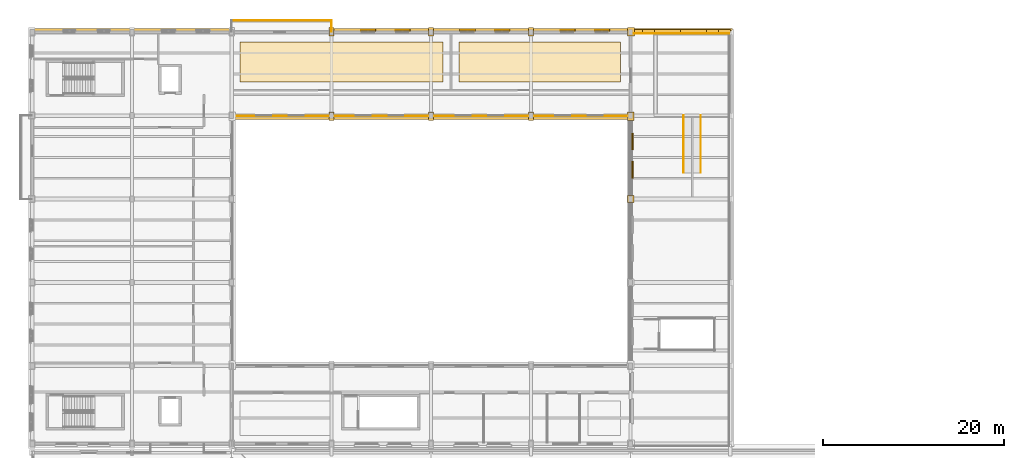
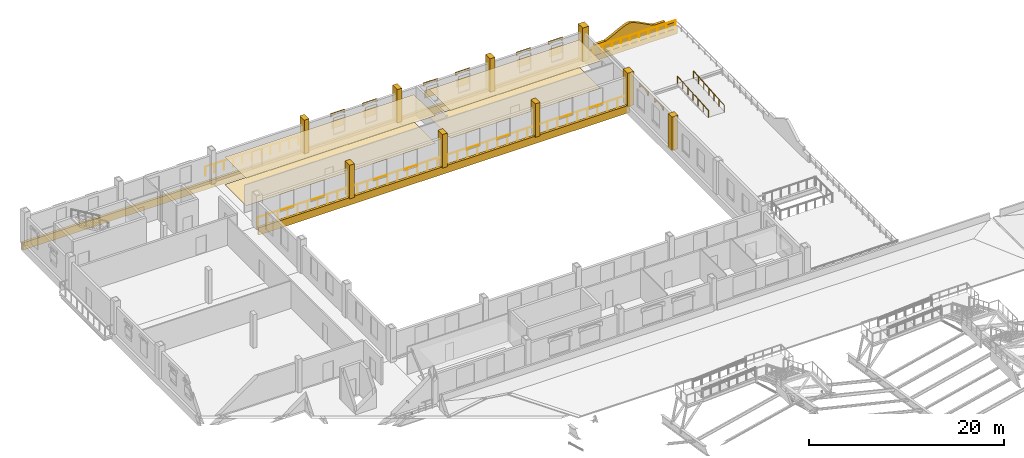
# One storey, part 42 of 43: 24 coverings, 6 railings, 6 shading devices.
"""IFC4 building model written with IfcOpenShell, lengths in metres."""

import ifcopenshell
import ifcopenshell.guid

model = None  # the IFC model being written
_history = None  # IfcOwnerHistory: only IFC2X3 demands one
_inside = {}  # id of a spatial element -> (the spatial element, [elements in it])
_under = {}  # id of a project, library or spatial element -> (it, [spatial elements below it])
_declared = {}  # id of a project -> (the project, [libraries it declares])
_typed = {}  # id of a type object -> (the type object, [elements of that type])
_made_of = {}  # id of a material, layer set ... -> (it, [elements and type objects made of it])


def new_model(schema):
    """Start an empty IFC model of exactly this schema.

    Asked for "IFC4X3", IfcOpenShell would pick the latest addendum, in which some entities
    have other attributes; the version numbers below select the first issue.
    IFC2X3 requires an IfcOwnerHistory on every rooted entity: one is made here for all.
    """
    global model, _history
    if schema == "IFC4X3":
        model = ifcopenshell.file(schema_version=(4, 3, 0, 0))
    else:
        model = ifcopenshell.file(schema=schema)
    _inside.clear()
    _under.clear()
    _declared.clear()
    _typed.clear()
    _made_of.clear()
    _history = None
    if model.schema == "IFC2X3":
        org = make("IfcOrganization", Name="unknown")
        user = make(
            "IfcPersonAndOrganization",
            ThePerson=make("IfcPerson", FamilyName="unknown"),
            TheOrganization=org,
        )
        app = make(
            "IfcApplication",
            ApplicationDeveloper=org,
            Version="unknown",
            ApplicationFullName="unknown",
            ApplicationIdentifier="unknown",
        )
        _history = make(
            "IfcOwnerHistory",
            OwningUser=user,
            OwningApplication=app,
            ChangeAction="ADDED",
            CreationDate=0,
        )
    return model


def make(cls, **values):
    """One entity of the class cls with the attributes given. An attribute that is None is left unset."""
    return model.create_entity(
        cls, **{name: value for name, value in values.items() if value is not None}
    )


def rooted(cls, **values):
    """An entity with a GlobalId (a new one), such as an element, a storey or a relation."""
    return make(cls, GlobalId=ifcopenshell.guid.new(), OwnerHistory=_history, **values)


def si_unit(unit_type, name, prefix=None):
    """IfcSIUnit, for example si_unit("LENGTHUNIT", "METRE", prefix="MILLI")."""
    return make("IfcSIUnit", UnitType=unit_type, Prefix=prefix, Name=name)


def assignment(units):
    """IfcUnitAssignment: the units of a project."""
    return None if units is None else make("IfcUnitAssignment", Units=units)


def point(xyz):
    """IfcCartesianPoint."""
    return None if xyz is None else make("IfcCartesianPoint", Coordinates=xyz)


def direction(xyz):
    """IfcDirection."""
    return None if xyz is None else make("IfcDirection", DirectionRatios=xyz)


def frame(location, z_axis=None, x_axis=None):
    """IfcAxis2Placement3D, a coordinate frame: its origin and axes. An axis left out is left unset."""
    return make(
        "IfcAxis2Placement3D",
        Location=point(location),
        Axis=direction(z_axis),
        RefDirection=direction(x_axis),
    )


def frame_2d(location, x_axis=None):
    """IfcAxis2Placement2D, a coordinate frame in the plane: its origin and x axis."""
    return make(
        "IfcAxis2Placement2D", Location=point(location), RefDirection=direction(x_axis)
    )


def origin():
    """The frame at (0, 0, 0) with its axes left unset."""
    return frame((0.0, 0.0, 0.0))


def origin_2d():
    """The frame at (0, 0) in the plane with its x axis left unset."""
    return frame_2d((0.0, 0.0))


def place(relative_to, where):
    """IfcLocalPlacement: puts the frame where relative to a parent placement (None: the world)."""
    return make(
        "IfcLocalPlacement", PlacementRelTo=relative_to, RelativePlacement=where
    )


def context(
    kind, dimensions, precision=None, world=None, true_north=None, identifier=None
):
    """IfcGeometricRepresentationContext, for example the 3D "Model" context."""
    return make(
        "IfcGeometricRepresentationContext",
        ContextIdentifier=identifier,
        ContextType=kind,
        CoordinateSpaceDimension=dimensions,
        Precision=precision,
        WorldCoordinateSystem=world,
        TrueNorth=true_north,
    )


def subcontext(parent, identifier, kind, view, scale=None):
    """IfcGeometricRepresentationSubContext, for example "Body" below "Model"."""
    return make(
        "IfcGeometricRepresentationSubContext",
        ContextIdentifier=identifier,
        ContextType=kind,
        ParentContext=parent,
        TargetScale=scale,
        TargetView=view,
    )


def project(units=None, contexts=None):
    """IfcProject with its units and contexts."""
    return rooted(
        "IfcProject",
        Name="project",
        RepresentationContexts=contexts,
        UnitsInContext=assignment(units),
    )


def spatial(cls, under=None, at=None, **own):
    """A site, building, storey or space (cls), placed at a placement, below another one or the project."""
    s = rooted(cls, ObjectPlacement=at, **own)
    if under is not None:
        _under.setdefault(under.id(), (under, []))[1].append(s)
    return s


def polyline(points):
    """IfcPolyline through the points."""
    return make("IfcPolyline", Points=[point(p) for p in points])


def profile(cls, at=None, kind="AREA", **sizes):
    """A parametric profile (cls). Its sizes go by their IFC names, for example OverallWidth=200.0."""
    return make(cls, ProfileType=kind, Position=at, **sizes)


def rectangle(**sizes):
    """IfcRectangleProfileDef."""
    return profile("IfcRectangleProfileDef", **sizes)


def circle(**sizes):
    """IfcCircleProfileDef."""
    return profile("IfcCircleProfileDef", **sizes)


def outline(outer, holes=None, kind="AREA"):
    """IfcArbitraryClosedProfileDef: a profile drawn as a closed curve; with holes, ...WithVoids."""
    if holes is None:
        return make("IfcArbitraryClosedProfileDef", ProfileType=kind, OuterCurve=outer)
    return make(
        "IfcArbitraryProfileDefWithVoids",
        ProfileType=kind,
        OuterCurve=outer,
        InnerCurves=holes,
    )


def extrude(swept, where, along, depth):
    """IfcExtrudedAreaSolid: the profile swept, set in the frame where, extruded along a direction by depth."""
    return make(
        "IfcExtrudedAreaSolid",
        SweptArea=swept,
        Position=where,
        ExtrudedDirection=direction(along),
        Depth=depth,
    )


def shape(context_of_items, identifier, shape_type, items):
    """IfcShapeRepresentation: the items that make up one representation, for example the "Body"."""
    return make(
        "IfcShapeRepresentation",
        ContextOfItems=context_of_items,
        RepresentationIdentifier=identifier,
        RepresentationType=shape_type,
        Items=items,
    )


def material(Name=None, Category=None):
    """IfcMaterial."""
    return make("IfcMaterial", Name=Name, Category=Category)


def layer(
    of_material, thickness, ventilated=None, Name=None, Category=None, Priority=None
):
    """IfcMaterialLayer: one layer of a wall or slab, of a material (None: an air gap)."""
    return make(
        "IfcMaterialLayer",
        Material=of_material,
        LayerThickness=thickness,
        IsVentilated=ventilated,
        Name=Name,
        Category=Category,
        Priority=Priority,
    )


def layer_set(layers, Name=None):
    """IfcMaterialLayerSet."""
    return make("IfcMaterialLayerSet", MaterialLayers=layers, LayerSetName=Name)


def made_of(thing, what):
    """Note that an element or type object is made of a material, layer set ...; save() writes the relation."""
    if what is not None:
        _made_of.setdefault(what.id(), (what, []))[1].append(thing)
    return thing


def type_object(cls, material=None, **own):
    """A type object (cls), such as IfcWallType, which elements share."""
    return made_of(rooted(cls, **own), material)


def element(
    cls,
    number,
    at=None,
    inside=None,
    cuts=None,
    type_object=None,
    material=None,
    context=None,
    identifier="Body",
    shape_type=None,
    held_by="IfcProductDefinitionShape",
    body=None,
    shapes=None,
    **own,
):
    """One element of the class cls, such as IfcWall. Its Tag is "e" and its number.

    at: its placement. inside: the storey or other place that contains it. cuts: it is an
    opening in that element (IfcRelVoidsElement). A single representation is given by context,
    identifier, shape_type and body (its items); several are given by shapes. held_by: the class
    of the entity that holds the representations. save() writes the other relations.
    """
    e = rooted(cls, Tag="e%d" % number, ObjectPlacement=at, **own)
    if body is not None:
        shapes = [shape(context, identifier, shape_type, body)]
    if shapes is not None:
        e.Representation = make(held_by, Representations=shapes)
    if inside is not None:
        _inside.setdefault(inside.id(), (inside, []))[1].append(e)
    if cuts is not None:
        rooted(
            "IfcRelVoidsElement", RelatingBuildingElement=cuts, RelatedOpeningElement=e
        )
    if type_object is not None:
        _typed.setdefault(type_object.id(), (type_object, []))[1].append(e)
    return made_of(e, material)


def aggregate(whole, parts):
    """IfcRelAggregates: a whole, such as a stair, and the parts it consists of."""
    return rooted("IfcRelAggregates", RelatingObject=whole, RelatedObjects=parts)


def save(model, path):
    """Write the relations noted so far, then the file.

    IfcRelAggregates (storeys below a building ...), IfcRelContainedInSpatialStructure (elements
    in a storey), IfcRelDefinesByType, IfcRelAssociatesMaterial and IfcRelDeclares: one each for
    every whole, place, type object, material and project.
    """
    for whole, parts in _under.values():
        aggregate(whole, parts)
    for where, things in _inside.values():
        rooted(
            "IfcRelContainedInSpatialStructure",
            RelatedElements=things,
            RelatingStructure=where,
        )
    for kind, things in _typed.values():
        rooted("IfcRelDefinesByType", RelatedObjects=things, RelatingType=kind)
    for what, things in _made_of.values():
        rooted("IfcRelAssociatesMaterial", RelatedObjects=things, RelatingMaterial=what)
    for by, libraries in _declared.values():
        rooted("IfcRelDeclares", RelatingContext=by, RelatedDefinitions=libraries)
    model.write(path)


model = new_model("IFC4")

# Units and contexts
model_context = context("Model", 3, precision=1e-05, world=origin(), true_north=direction((0.0, 1.0)))
body_context = subcontext(model_context, "Body", "Model", "MODEL_VIEW")
ifc_project = project(units=[si_unit("LENGTHUNIT", "METRE"), si_unit("AREAUNIT", "SQUARE_METRE"), si_unit("VOLUMEUNIT", "CUBIC_METRE"), si_unit("PLANEANGLEUNIT", "RADIAN"), si_unit("MASSUNIT", "GRAM", prefix="KILO")], contexts=[model_context])

# Site, building, storey
site_placement = place(None, origin())
site = spatial("IfcSite", under=ifc_project, at=site_placement, CompositionType="ELEMENT")
building_placement = place(site_placement, origin())
building = spatial("IfcBuilding", under=site, at=building_placement, Name="Caurita Quay Ferry Terminal", CompositionType="ELEMENT")
storey_placement = place(building_placement, frame((0.0, 0.0, 14.10009765625)))
storey = spatial("IfcBuildingStorey", under=building, at=storey_placement, Name="L03", CompositionType="ELEMENT", Elevation=14.10009765625)

# Coverings
ifc_material_1 = material(Name="Acoustic mineral fibre tile", Category="finish")
ifc_layer_1 = layer(ifc_material_1, 0.02001953125, Name="Acoustic mineral-fibre suspended ceiling 20 mm")
ifc_layer_set_1 = layer_set([ifc_layer_1], Name="Acoustic mineral fibre tile")
covering_type_1 = type_object("IfcCoveringType", Name="COV-CEIL-020", PredefinedType="CEILING", material=ifc_layer_set_1)
covering_1_placement = place(storey_placement, frame((0.0, 0.0, 3.43603515625)))
element("IfcCovering", 1, at=covering_1_placement, inside=storey, type_object=covering_type_1, Name="Ferry Crew Duty Rest Lounge Acoustic Ceiling", PredefinedType="CEILING", context=body_context, shape_type="SweptSolid", body=[
    extrude(outline(polyline([(22.89990234375, 111.5), (45.300048828125, 111.5), (45.300048828125, 115.89990234375), (22.89990234375, 115.89990234375), (22.89990234375, 111.5)])), origin(), (0.0, 0.0, 1.0), 0.02001953125),
])
covering_2_placement = place(storey_placement, frame((0.0, 0.0, 3.43603515625)))
element("IfcCovering", 2, at=covering_2_placement, inside=storey, type_object=covering_type_1, Name="Marine Radar and VHF Telemetry Room Acoustic Ceiling", PredefinedType="CEILING", context=body_context, shape_type="SweptSolid", body=[
    extrude(outline(polyline([(47.10009765625, 111.5), (64.89990234375, 111.5), (64.89990234375, 115.89990234375), (47.10009765625, 115.89990234375), (47.10009765625, 111.5)])), origin(), (0.0, 0.0, 1.0), 0.02001953125),
])
ifc_material_2 = material(Name="Coral stone ashlar cladding", Category="masonry")
ifc_layer_2 = layer(ifc_material_2, 0.239990234375, Name="Classical coral-stone entablature and cornice moulding 240 mm")
ifc_layer_set_2 = layer_set([ifc_layer_2], Name="Coral stone ashlar cladding")
covering_type_2 = type_object("IfcCoveringType", Name="COV-ENT-MLD", PredefinedType="MOLDING", material=ifc_layer_set_2)
covering_3_placement = place(storey_placement, frame((77.25, 117.280029296875, -0.85009765625), z_axis=(0.0, 0.0, 1.0), x_axis=(-1.0, 0.0, 0.0)))
element("IfcCovering", 3, at=covering_3_placement, inside=storey, type_object=covering_type_2, Name="L03 Classical Entablature Cornice 003", PredefinedType="MOLDING", context=body_context, shape_type="SweptSolid", body=[
    extrude(rectangle(XDim=77.530029296875, YDim=0.280029296875, at=frame_2d((38.76513671875, 0.0))), origin(), (0.0, 0.0, 1.0), 0.929931640625),
])
covering_4_placement = place(storey_placement, frame((66.0, 107.52001953125, -0.85009765625), z_axis=(0.0, 0.0, 1.0), x_axis=(-1.0, 0.0, 0.0)))
element("IfcCovering", 4, at=covering_4_placement, inside=storey, type_object=covering_type_2, Name="L03 Classical Entablature Cornice 028", PredefinedType="MOLDING", context=body_context, shape_type="SweptSolid", body=[
    extrude(rectangle(XDim=44.0, YDim=0.280029296875, at=frame_2d((22.0, 0.0))), origin(), (0.0, 0.0, 1.0), 0.929931640625),
])
ifc_material_3 = material(Name="Warm-white lime stucco masonry", Category="masonry")
ifc_layer_3 = layer(ifc_material_3, 0.280029296875, Name="Shaped Spanish Colonial espadana mission parapet gable 280 mm")
ifc_layer_set_3 = layer_set([ifc_layer_3], Name="Warm-white lime stucco masonry")
covering_type_3 = type_object("IfcCoveringType", Name="COV-ESP-MLD", PredefinedType="MOLDING", material=ifc_layer_set_3)
covering_5_placement = place(storey_placement, frame((77.0, 117.14990234375, -0.050048828125), z_axis=(0.0, 0.0, 1.0), x_axis=(-1.0, 0.0, 0.0)))
element("IfcCovering", 5, at=covering_5_placement, inside=storey, type_object=covering_type_3, Name="North Street East Espadana Mission Gable 073", PredefinedType="MOLDING", context=body_context, shape_type="SweptSolid", body=[
    extrude(outline(polyline([(0.0, 0.0), (11.0, 0.0), (11.0, 0.849853515625), (9.679931640625, 0.849853515625), (9.679931640625, 1.329833984375), (8.360107421875, 1.329833984375), (7.47998046875, 1.769775390625), (6.60009765625, 2.229736328125), (5.93994140625, 2.52978515625), (5.5, 2.6298828125), (5.06005859375, 2.52978515625), (4.39990234375, 2.229736328125), (3.52001953125, 1.769775390625), (2.639892578125, 1.329833984375), (1.320068359375, 1.329833984375), (1.320068359375, 0.849853515625), (0.0, 0.849853515625), (0.0, 0.0)])), frame((0.0, 0.16015625, 0.0), z_axis=(0.0, -1.0, 0.0), x_axis=(1.0, 0.0, 0.0)), (0.0, 0.0, 1.0), 0.320068359375),
])
ifc_material_4 = material(Name="Polished marine terrazzo tile", Category="finish")
ifc_layer_4 = layer(ifc_material_4, 0.02490234375, Name="Polished marine terrazzo floor finish 25 mm")
ifc_layer_set_4 = layer_set([ifc_layer_4], Name="Polished marine terrazzo tile")
covering_type_4 = type_object("IfcCoveringType", Name="COV-FLR-025", PredefinedType="FLOORING", material=ifc_layer_set_4)
covering_6_placement = place(storey_placement, origin())
element("IfcCovering", 6, at=covering_6_placement, inside=storey, type_object=covering_type_4, Name="Ferry Crew Duty Rest Lounge Terrazzo Flooring", PredefinedType="FLOORING", context=body_context, shape_type="SweptSolid", body=[
    extrude(outline(polyline([(22.89990234375, 111.5), (45.300048828125, 111.5), (45.300048828125, 115.89990234375), (22.89990234375, 115.89990234375), (22.89990234375, 111.5)])), origin(), (0.0, 0.0, 1.0), 0.02490234375),
])
covering_7_placement = place(storey_placement, origin())
element("IfcCovering", 7, at=covering_7_placement, inside=storey, type_object=covering_type_4, Name="Marine Radar and VHF Telemetry Room Terrazzo Flooring", PredefinedType="FLOORING", context=body_context, shape_type="SweptSolid", body=[
    extrude(outline(polyline([(47.10009765625, 111.5), (64.89990234375, 111.5), (64.89990234375, 115.89990234375), (47.10009765625, 115.89990234375), (47.10009765625, 111.5)])), origin(), (0.0, 0.0, 1.0), 0.02490234375),
])
ifc_layer_5 = layer(ifc_material_3, 0.179931640625, Name="Classical engaged lime-stucco facade pilaster cladding 180 mm")
ifc_layer_set_5 = layer_set([ifc_layer_5], Name="Warm-white lime stucco masonry")
covering_type_5 = type_object("IfcCoveringType", Name="COV-PIL-CLD", PredefinedType="CLADDING", material=ifc_layer_set_5)
for number, where, z_axis, x_axis, name in (
    (8, (33.0, 107.75, 0.0), (0.0, 0.0, 1.0), (1.0, 0.0, 0.0), "L03 Classical Engaged Pilaster 0337"),
    (9, (33.0, 117.050048828125, 0.0), (0.0, 0.0, 1.0), (1.0, 0.0, 0.0), "L03 Classical Engaged Pilaster 0341"),
    (10, (44.0, 107.75, 0.0), (0.0, 0.0, 1.0), (1.0, 0.0, 0.0), "L03 Classical Engaged Pilaster 0351"),
    (11, (44.0, 117.050048828125, 0.0), (0.0, 0.0, 1.0), (1.0, 0.0, 0.0), "L03 Classical Engaged Pilaster 0355"),
    (12, (55.0, 107.75, 0.0), (0.0, 0.0, 1.0), (1.0, 0.0, 0.0), "L03 Classical Engaged Pilaster 0363"),
    (13, (55.0, 117.050048828125, 0.0), (0.0, 0.0, 1.0), (1.0, 0.0, 0.0), "L03 Classical Engaged Pilaster 0367"),
):
    element("IfcCovering", number, at=place(storey_placement, frame(where, z_axis=z_axis, x_axis=x_axis)), inside=storey, type_object=covering_type_5, Name=name, PredefinedType="CLADDING", context=body_context, shape_type="SweptSolid", body=[
        extrude(rectangle(XDim=0.570068359375, YDim=0.929931640625, at=origin_2d()), origin(), (0.0, 0.0, 1.0), 4.199951171875),
    ])
covering_8_placement = place(storey_placement, frame((66.0, 98.60009765625, 0.0), z_axis=(0.0, 0.0, 1.0), x_axis=(1.0, 0.0, 0.0)))
element("IfcCovering", 14, at=covering_8_placement, inside=storey, type_object=covering_type_5, Name="L03 Classical Engaged Pilaster 0377", PredefinedType="CLADDING", context=body_context, shape_type="SweptSolid", body=[
    extrude(rectangle(XDim=0.72998046875, YDim=0.77001953125, at=origin_2d()), origin(), (0.0, 0.0, 1.0), 4.199951171875),
])
for number, where, z_axis, x_axis, name in (
    (15, (66.0, 107.75, 0.0), (0.0, 0.0, 1.0), (1.0, 0.0, 0.0), "L03 Classical Engaged Pilaster 0379"),
    (16, (66.050048828125, 117.050048828125, 0.0), (0.0, 0.0, 1.0), (1.0, 0.0, 0.0), "L03 Classical Engaged Pilaster 0383"),
):
    element("IfcCovering", number, at=place(storey_placement, frame(where, z_axis=z_axis, x_axis=x_axis)), inside=storey, type_object=covering_type_5, Name=name, PredefinedType="CLADDING", context=body_context, shape_type="SweptSolid", body=[
        extrude(rectangle(XDim=0.72998046875, YDim=0.929931640625, at=origin_2d()), origin(), (0.0, 0.0, 1.0), 4.199951171875),
    ])
ifc_layer_6 = layer(ifc_material_2, 0.139892578125, Name="Spanish Colonial semicircular arched window surround 140 mm")
ifc_layer_set_6 = layer_set([ifc_layer_6], Name="Coral stone ashlar cladding")
covering_type_6 = type_object("IfcCoveringType", Name="COV-WHD-MLD", PredefinedType="MOLDING", material=ifc_layer_set_6)
for number, where, z_axis, x_axis, name in (
    (17, (41.679931640625, 117.199951171875, 3.02978515625), (0.0, 0.0, 1.0), (-1.0, 0.0, 0.0), "L03 Arched Window Surround 017"),
    (18, (37.8798828125, 117.199951171875, 3.02978515625), (0.0, 0.0, 1.0), (-1.0, 0.0, 0.0), "L03 Arched Window Surround 018"),
    (19, (52.679931640625, 117.199951171875, 3.02978515625), (0.0, 0.0, 1.0), (-1.0, 0.0, 0.0), "L03 Arched Window Surround 019"),
    (20, (48.8798828125, 117.199951171875, 3.02978515625), (0.0, 0.0, 1.0), (-1.0, 0.0, 0.0), "L03 Arched Window Surround 020"),
    (21, (63.679931640625, 117.199951171875, 3.02978515625), (0.0, 0.0, 1.0), (-1.0, 0.0, 0.0), "L03 Arched Window Surround 021"),
    (22, (59.8798828125, 117.199951171875, 3.02978515625), (0.0, 0.0, 1.0), (-1.0, 0.0, 0.0), "L03 Arched Window Surround 022"),
):
    element("IfcCovering", number, at=place(storey_placement, frame(where, z_axis=z_axis, x_axis=x_axis)), inside=storey, type_object=covering_type_6, Name=name, PredefinedType="MOLDING", context=body_context, shape_type="SweptSolid", body=[
        extrude(outline(polyline([(0.0, 0.0), (0.159912109375, 0.0), (0.159912109375, 0.0400390625), (0.194091796875, 0.125244140625), (0.292724609375, 0.2021484375), (0.446533203125, 0.26318359375), (0.64013671875, 0.302490234375), (0.85498046875, 0.31591796875), (1.06982421875, 0.302490234375), (1.263427734375, 0.26318359375), (1.417236328125, 0.2021484375), (1.515869140625, 0.125244140625), (1.550048828125, 0.0400390625), (1.550048828125, 0.0), (1.7099609375, 0.0), (1.7099609375, 0.396728515625), (0.0, 0.396728515625), (0.0, 0.0)])), frame((0.0, 0.06982421875, 0.0), z_axis=(0.0, -1.0, 0.0), x_axis=(1.0, 0.0, 0.0)), (0.0, 0.0, 1.0), 0.139892578125),
    ])
covering_9_placement = place(storey_placement, frame((66.215087890625, 100.919921875, 3.179931640625), z_axis=(0.0, 0.0, 1.0), x_axis=(0.0, 1.0, 0.0)))
element("IfcCovering", 23, at=covering_9_placement, inside=storey, type_object=covering_type_6, Name="L03 Arched Window Surround 121", PredefinedType="MOLDING", context=body_context, shape_type="SweptSolid", body=[
    extrude(outline(polyline([(0.0, 0.0), (0.159912109375, 0.0), (0.159912109375, 0.0400390625), (0.19775390625, 0.1513671875), (0.30712890625, 0.251708984375), (0.4775390625, 0.331298828125), (0.692138671875, 0.38232421875), (0.929931640625, 0.39990234375), (1.16796875, 0.38232421875), (1.382568359375, 0.331298828125), (1.552978515625, 0.251708984375), (1.662353515625, 0.1513671875), (1.7001953125, 0.0400390625), (1.7001953125, 0.0), (1.860107421875, 0.0), (1.860107421875, 0.47998046875), (0.0, 0.47998046875), (0.0, 0.0)])), frame((0.0, 0.06982421875, 0.0), z_axis=(0.0, -1.0, 0.0), x_axis=(1.0, 0.0, 0.0)), (0.0, 0.0, 1.0), 0.139892578125),
])
covering_10_placement = place(storey_placement, frame((66.215087890625, 104.02001953125, 3.179931640625), z_axis=(0.0, 0.0, 1.0), x_axis=(0.0, 1.0, 0.0)))
element("IfcCovering", 24, at=covering_10_placement, inside=storey, type_object=covering_type_6, Name="L03 Arched Window Surround 122", PredefinedType="MOLDING", context=body_context, shape_type="SweptSolid", body=[
    extrude(outline(polyline([(0.0, 0.0), (0.159912109375, 0.0), (0.159912109375, 0.0400390625), (0.19775390625, 0.1513671875), (0.30712890625, 0.251708984375), (0.477294921875, 0.331298828125), (0.69189453125, 0.38232421875), (0.929931640625, 0.39990234375), (1.16796875, 0.38232421875), (1.382568359375, 0.331298828125), (1.552734375, 0.251708984375), (1.662109375, 0.1513671875), (1.699951171875, 0.0400390625), (1.699951171875, 0.0), (1.85986328125, 0.0), (1.85986328125, 0.47998046875), (0.0, 0.47998046875), (0.0, 0.0)])), frame((0.0, 0.06982421875, 0.0), z_axis=(0.0, -1.0, 0.0), x_axis=(1.0, 0.0, 0.0)), (0.0, 0.0, 1.0), 0.139892578125),
])

# Railings
ifc_material_5 = material(Name="Bronze architectural metalwork", Category="metal")
railing_type_1 = type_object("IfcRailingType", Name="RL-HND-090", PredefinedType="HANDRAIL", material=ifc_material_5)
for number, where, name in (
    (25, (73.739990234375, 101.5, 0.0), "Waterside Lookout Accessible Slope Ramp Handrail 1"),
    (26, (71.860107421875, 101.5, 0.0), "Waterside Lookout Accessible Slope Ramp Handrail 2"),
):
    element("IfcRailing", number, at=place(storey_placement, frame(where)), inside=storey, type_object=railing_type_1, Name=name, PredefinedType="HANDRAIL", context=body_context, shape_type="SweptSolid", body=[
        extrude(circle(Radius=0.02392578125, at=origin_2d()), frame((0.0, 0.0, 0.8759765625), z_axis=(0.0, 0.997459288432, 0.07123880909), x_axis=(-1.0, 0.0, 0.0)), (0.0, 0.0, 1.0), 6.316162109375),
        extrude(circle(Radius=0.02099609375, at=origin_2d()), origin(), (0.0, 0.0, 1.0), 0.851806640625),
        extrude(circle(Radius=0.02099609375, at=origin_2d()), frame((0.0, 1.050048828125, 0.074951171875)), (0.0, 0.0, 1.0), 0.851806640625),
        extrude(circle(Radius=0.02099609375, at=origin_2d()), frame((0.0, 2.10009765625, 0.14990234375)), (0.0, 0.0, 1.0), 0.851806640625),
        extrude(circle(Radius=0.02099609375, at=origin_2d()), frame((0.0, 3.14990234375, 0.22509765625)), (0.0, 0.0, 1.0), 0.851806640625),
        extrude(circle(Radius=0.02099609375, at=origin_2d()), frame((0.0, 4.199951171875, 0.300048828125)), (0.0, 0.0, 1.0), 0.851806640625),
        extrude(circle(Radius=0.02099609375, at=origin_2d()), frame((0.0, 5.25, 0.375)), (0.0, 0.0, 1.0), 0.851806640625),
        extrude(circle(Radius=0.02099609375, at=origin_2d()), frame((0.0, 6.300048828125, 0.449951171875)), (0.0, 0.0, 1.0), 0.851806640625),
    ])
railing_type_2 = type_object("IfcRailingType", Name="RL-REJA-115", PredefinedType="BALUSTRADE", material=ifc_material_5)
railing_1_placement = place(storey_placement, frame((76.85009765625, 116.85009765625, 0.0)))
element("IfcRailing", 27, at=railing_1_placement, inside=storey, type_object=railing_type_2, Name="L03 Harbour Master Terrace Balustrade (070)", PredefinedType="BALUSTRADE", context=body_context, shape_type="SweptSolid", body=[
    extrude(circle(Radius=0.02392578125, at=origin_2d()), frame((0.0, 0.0, 1.1259765625), z_axis=(-1.0, 0.0, 0.0), x_axis=(0.0, -1.0, 0.0)), (0.0, 0.0, 1.0), 10.800048828125),
    extrude(circle(Radius=0.02099609375, at=origin_2d()), origin(), (0.0, 0.0, 1.0), 1.101806640625),
    extrude(circle(Radius=0.02099609375, at=origin_2d()), frame((-1.080078125, 0.0, 0.0)), (0.0, 0.0, 1.0), 1.101806640625),
    extrude(circle(Radius=0.02099609375, at=origin_2d()), frame((-2.159912109375, 0.0, 0.0)), (0.0, 0.0, 1.0), 1.101806640625),
    extrude(circle(Radius=0.02099609375, at=origin_2d()), frame((-3.239990234375, 0.0, 0.0)), (0.0, 0.0, 1.0), 1.101806640625),
    extrude(circle(Radius=0.02099609375, at=origin_2d()), frame((-4.320068359375, 0.0, 0.0)), (0.0, 0.0, 1.0), 1.101806640625),
    extrude(circle(Radius=0.02099609375, at=origin_2d()), frame((-5.39990234375, 0.0, 0.0)), (0.0, 0.0, 1.0), 1.101806640625),
    extrude(circle(Radius=0.02099609375, at=origin_2d()), frame((-6.47998046875, 0.0, 0.0)), (0.0, 0.0, 1.0), 1.101806640625),
    extrude(circle(Radius=0.02099609375, at=origin_2d()), frame((-7.56005859375, 0.0, 0.0)), (0.0, 0.0, 1.0), 1.101806640625),
    extrude(circle(Radius=0.02099609375, at=origin_2d()), frame((-8.64013671875, 0.0, 0.0)), (0.0, 0.0, 1.0), 1.101806640625),
    extrude(circle(Radius=0.02099609375, at=origin_2d()), frame((-9.719970703125, 0.0, 0.0)), (0.0, 0.0, 1.0), 1.101806640625),
    extrude(circle(Radius=0.02099609375, at=origin_2d()), frame((-10.800048828125, 0.0, 0.0)), (0.0, 0.0, 1.0), 1.101806640625),
])
railing_2_placement = place(storey_placement, frame((65.89990234375, 107.75, 0.0)))
element("IfcRailing", 28, at=railing_2_placement, inside=storey, type_object=railing_type_2, Name="L03 Courtyard Cloister Guard (092)", PredefinedType="BALUSTRADE", context=body_context, shape_type="SweptSolid", body=[
    extrude(circle(Radius=0.02392578125, at=origin_2d()), frame((0.0, 0.0, 1.1259765625), z_axis=(-1.0, 0.0, 0.0), x_axis=(0.0, -1.0, 0.0)), (0.0, 0.0, 1.0), 43.7998046875),
    extrude(circle(Radius=0.02099609375, at=origin_2d()), origin(), (0.0, 0.0, 1.0), 1.101806640625),
    extrude(circle(Radius=0.02099609375, at=origin_2d()), frame((-1.183837890625, 0.0, 0.0)), (0.0, 0.0, 1.0), 1.101806640625),
    extrude(circle(Radius=0.02099609375, at=origin_2d()), frame((-2.36767578125, 0.0, 0.0)), (0.0, 0.0, 1.0), 1.101806640625),
    extrude(circle(Radius=0.02099609375, at=origin_2d()), frame((-3.55126953125, 0.0, 0.0)), (0.0, 0.0, 1.0), 1.101806640625),
    extrude(circle(Radius=0.02099609375, at=origin_2d()), frame((-4.735107421875, 0.0, 0.0)), (0.0, 0.0, 1.0), 1.101806640625),
    extrude(circle(Radius=0.02099609375, at=origin_2d()), frame((-5.9189453125, 0.0, 0.0)), (0.0, 0.0, 1.0), 1.101806640625),
    extrude(circle(Radius=0.02099609375, at=origin_2d()), frame((-7.102783203125, 0.0, 0.0)), (0.0, 0.0, 1.0), 1.101806640625),
    extrude(circle(Radius=0.02099609375, at=origin_2d()), frame((-8.286376953125, 0.0, 0.0)), (0.0, 0.0, 1.0), 1.101806640625),
    extrude(circle(Radius=0.02099609375, at=origin_2d()), frame((-9.47021484375, 0.0, 0.0)), (0.0, 0.0, 1.0), 1.101806640625),
    extrude(circle(Radius=0.02099609375, at=origin_2d()), frame((-10.654052734375, 0.0, 0.0)), (0.0, 0.0, 1.0), 1.101806640625),
    extrude(circle(Radius=0.02099609375, at=origin_2d()), frame((-11.837890625, 0.0, 0.0)), (0.0, 0.0, 1.0), 1.101806640625),
    extrude(circle(Radius=0.02099609375, at=origin_2d()), frame((-13.021484375, 0.0, 0.0)), (0.0, 0.0, 1.0), 1.101806640625),
    extrude(circle(Radius=0.02099609375, at=origin_2d()), frame((-14.205322265625, 0.0, 0.0)), (0.0, 0.0, 1.0), 1.101806640625),
    extrude(circle(Radius=0.02099609375, at=origin_2d()), frame((-15.38916015625, 0.0, 0.0)), (0.0, 0.0, 1.0), 1.101806640625),
    extrude(circle(Radius=0.02099609375, at=origin_2d()), frame((-16.572998046875, 0.0, 0.0)), (0.0, 0.0, 1.0), 1.101806640625),
    extrude(circle(Radius=0.02099609375, at=origin_2d()), frame((-17.756591796875, 0.0, 0.0)), (0.0, 0.0, 1.0), 1.101806640625),
    extrude(circle(Radius=0.02099609375, at=origin_2d()), frame((-18.9404296875, 0.0, 0.0)), (0.0, 0.0, 1.0), 1.101806640625),
    extrude(circle(Radius=0.02099609375, at=origin_2d()), frame((-20.124267578125, 0.0, 0.0)), (0.0, 0.0, 1.0), 1.101806640625),
    extrude(circle(Radius=0.02099609375, at=origin_2d()), frame((-21.30810546875, 0.0, 0.0)), (0.0, 0.0, 1.0), 1.101806640625),
    extrude(circle(Radius=0.02099609375, at=origin_2d()), frame((-22.49169921875, 0.0, 0.0)), (0.0, 0.0, 1.0), 1.101806640625),
    extrude(circle(Radius=0.02099609375, at=origin_2d()), frame((-23.675537109375, 0.0, 0.0)), (0.0, 0.0, 1.0), 1.101806640625),
    extrude(circle(Radius=0.02099609375, at=origin_2d()), frame((-24.859375, 0.0, 0.0)), (0.0, 0.0, 1.0), 1.101806640625),
    extrude(circle(Radius=0.02099609375, at=origin_2d()), frame((-26.043212890625, 0.0, 0.0)), (0.0, 0.0, 1.0), 1.101806640625),
    extrude(circle(Radius=0.02099609375, at=origin_2d()), frame((-27.226806640625, 0.0, 0.0)), (0.0, 0.0, 1.0), 1.101806640625),
    extrude(circle(Radius=0.02099609375, at=origin_2d()), frame((-28.41064453125, 0.0, 0.0)), (0.0, 0.0, 1.0), 1.101806640625),
    extrude(circle(Radius=0.02099609375, at=origin_2d()), frame((-29.594482421875, 0.0, 0.0)), (0.0, 0.0, 1.0), 1.101806640625),
    extrude(circle(Radius=0.02099609375, at=origin_2d()), frame((-30.7783203125, 0.0, 0.0)), (0.0, 0.0, 1.0), 1.101806640625),
    extrude(circle(Radius=0.02099609375, at=origin_2d()), frame((-31.9619140625, 0.0, 0.0)), (0.0, 0.0, 1.0), 1.101806640625),
    extrude(circle(Radius=0.02099609375, at=origin_2d()), frame((-33.145751953125, 0.0, 0.0)), (0.0, 0.0, 1.0), 1.101806640625),
    extrude(circle(Radius=0.02099609375, at=origin_2d()), frame((-34.32958984375, 0.0, 0.0)), (0.0, 0.0, 1.0), 1.101806640625),
    extrude(circle(Radius=0.02099609375, at=origin_2d()), frame((-35.513427734375, 0.0, 0.0)), (0.0, 0.0, 1.0), 1.101806640625),
    extrude(circle(Radius=0.02099609375, at=origin_2d()), frame((-36.697021484375, 0.0, 0.0)), (0.0, 0.0, 1.0), 1.101806640625),
    extrude(circle(Radius=0.02099609375, at=origin_2d()), frame((-37.880859375, 0.0, 0.0)), (0.0, 0.0, 1.0), 1.101806640625),
    extrude(circle(Radius=0.02099609375, at=origin_2d()), frame((-39.064697265625, 0.0, 0.0)), (0.0, 0.0, 1.0), 1.101806640625),
    extrude(circle(Radius=0.02099609375, at=origin_2d()), frame((-40.24853515625, 0.0, 0.0)), (0.0, 0.0, 1.0), 1.101806640625),
    extrude(circle(Radius=0.02099609375, at=origin_2d()), frame((-41.43212890625, 0.0, 0.0)), (0.0, 0.0, 1.0), 1.101806640625),
    extrude(circle(Radius=0.02099609375, at=origin_2d()), frame((-42.615966796875, 0.0, 0.0)), (0.0, 0.0, 1.0), 1.101806640625),
    extrude(circle(Radius=0.02099609375, at=origin_2d()), frame((-43.7998046875, 0.0, 0.0)), (0.0, 0.0, 1.0), 1.101806640625),
])
railing_3_placement = place(storey_placement, frame((21.97998046875, 118.280029296875, 0.0)))
element("IfcRailing", 29, at=railing_3_placement, inside=storey, type_object=railing_type_2, Name="L03 Crew Lounge Rejas Balcony Balustrade (129)", PredefinedType="BALUSTRADE", context=body_context, shape_type="SweptSolid", body=[
    extrude(circle(Radius=0.02392578125, at=origin_2d()), frame((0.0, 0.0, 1.1259765625), z_axis=(1.0, 0.0, 0.0), x_axis=(0.0, 1.0, 0.0)), (0.0, 0.0, 1.0), 11.0400390625),
    extrude(circle(Radius=0.02099609375, at=origin_2d()), origin(), (0.0, 0.0, 1.0), 1.101806640625),
    extrude(circle(Radius=0.02099609375, at=origin_2d()), frame((1.10400390625, 0.0, 0.0)), (0.0, 0.0, 1.0), 1.101806640625),
    extrude(circle(Radius=0.02099609375, at=origin_2d()), frame((2.2080078125, 0.0, 0.0)), (0.0, 0.0, 1.0), 1.101806640625),
    extrude(circle(Radius=0.02099609375, at=origin_2d()), frame((3.31201171875, 0.0, 0.0)), (0.0, 0.0, 1.0), 1.101806640625),
    extrude(circle(Radius=0.02099609375, at=origin_2d()), frame((4.416015625, 0.0, 0.0)), (0.0, 0.0, 1.0), 1.101806640625),
    extrude(circle(Radius=0.02099609375, at=origin_2d()), frame((5.52001953125, 0.0, 0.0)), (0.0, 0.0, 1.0), 1.101806640625),
    extrude(circle(Radius=0.02099609375, at=origin_2d()), frame((6.6240234375, 0.0, 0.0)), (0.0, 0.0, 1.0), 1.101806640625),
    extrude(circle(Radius=0.02099609375, at=origin_2d()), frame((7.72802734375, 0.0, 0.0)), (0.0, 0.0, 1.0), 1.101806640625),
    extrude(circle(Radius=0.02099609375, at=origin_2d()), frame((8.83203125, 0.0, 0.0)), (0.0, 0.0, 1.0), 1.101806640625),
    extrude(circle(Radius=0.02099609375, at=origin_2d()), frame((9.93603515625, 0.0, 0.0)), (0.0, 0.0, 1.0), 1.101806640625),
    extrude(circle(Radius=0.02099609375, at=origin_2d()), frame((11.0400390625, 0.0, 0.0)), (0.0, 0.0, 1.0), 1.101806640625),
])
railing_4_placement = place(storey_placement, frame((33.02001953125, 118.280029296875, 0.0)))
element("IfcRailing", 30, at=railing_4_placement, inside=storey, type_object=railing_type_2, Name="L03 Crew Lounge Rejas Balcony Balustrade (130)", PredefinedType="BALUSTRADE", context=body_context, shape_type="SweptSolid", body=[
    extrude(circle(Radius=0.02392578125, at=origin_2d()), frame((0.0, 0.0, 1.1259765625), z_axis=(0.0, -1.0, 0.0), x_axis=(1.0, 0.0, 0.0)), (0.0, 0.0, 1.0), 1.22998046875),
    extrude(circle(Radius=0.02099609375, at=origin_2d()), origin(), (0.0, 0.0, 1.0), 1.101806640625),
    extrude(circle(Radius=0.02099609375, at=origin_2d()), frame((0.0, -0.614990234375, 0.0)), (0.0, 0.0, 1.0), 1.101806640625),
    extrude(circle(Radius=0.02099609375, at=origin_2d()), frame((0.0, -1.22998046875, 0.0)), (0.0, 0.0, 1.0), 1.101806640625),
])

# Shading devices
shading_device_type_1 = type_object("IfcShadingDeviceType", Name="SHD-JAL-01", PredefinedType="JALOUSIE", material=ifc_material_5)
for number, where, z_axis, x_axis, name in (
    (31, (40.824951171875, 117.177978515625, 1.52734375), (0.0, 0.0, 1.0), (-1.0, 0.0, 0.0), "L03 Tropical Window Sun-Breaker 029"),
    (32, (51.824951171875, 117.177978515625, 1.52734375), (0.0, 0.0, 1.0), (-1.0, 0.0, 0.0), "L03 Tropical Window Sun-Breaker 031"),
    (33, (62.824951171875, 117.177978515625, 1.52734375), (0.0, 0.0, 1.0), (-1.0, 0.0, 0.0), "L03 Tropical Window Sun-Breaker 033"),
):
    element("IfcShadingDevice", number, at=place(storey_placement, frame(where, z_axis=z_axis, x_axis=x_axis)), inside=storey, type_object=shading_device_type_1, Name=name, PredefinedType="JALOUSIE", context=body_context, shape_type="SweptSolid", body=[
        extrude(rectangle(XDim=1.449951171875, YDim=0.080078125, at=origin_2d()), origin(), (0.0, 0.0, 1.0), 0.945068359375),
    ])
ifc_material_6 = material(Name="Tropical mahogany hardwood", Category="wood")
shading_device_type_2 = type_object("IfcShadingDeviceType", Name="SHD-SHT-01", PredefinedType="SHUTTER", material=ifc_material_6)
for number, where, z_axis, x_axis, name in (
    (34, (37.02490234375, 117.16796875, 1.52734375), (0.0, 0.0, 1.0), (-1.0, 0.0, 0.0), "L03 Tropical Window Sun-Breaker 030"),
    (35, (48.02490234375, 117.16796875, 1.52734375), (0.0, 0.0, 1.0), (-1.0, 0.0, 0.0), "L03 Tropical Window Sun-Breaker 032"),
    (36, (59.02490234375, 117.16796875, 1.52734375), (0.0, 0.0, 1.0), (-1.0, 0.0, 0.0), "L03 Tropical Window Sun-Breaker 034"),
):
    element("IfcShadingDevice", number, at=place(storey_placement, frame(where, z_axis=z_axis, x_axis=x_axis)), inside=storey, type_object=shading_device_type_2, Name=name, PredefinedType="SHUTTER", context=body_context, shape_type="SweptSolid", body=[
        extrude(rectangle(XDim=1.449951171875, YDim=0.06005859375, at=origin_2d()), origin(), (0.0, 0.0, 1.0), 0.945068359375),
    ])

save(model, "model.ifc")
